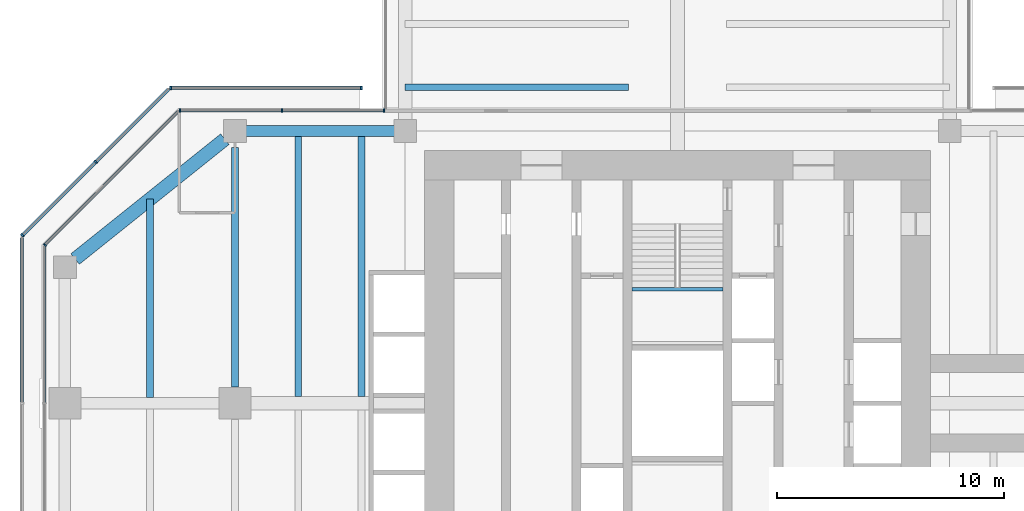
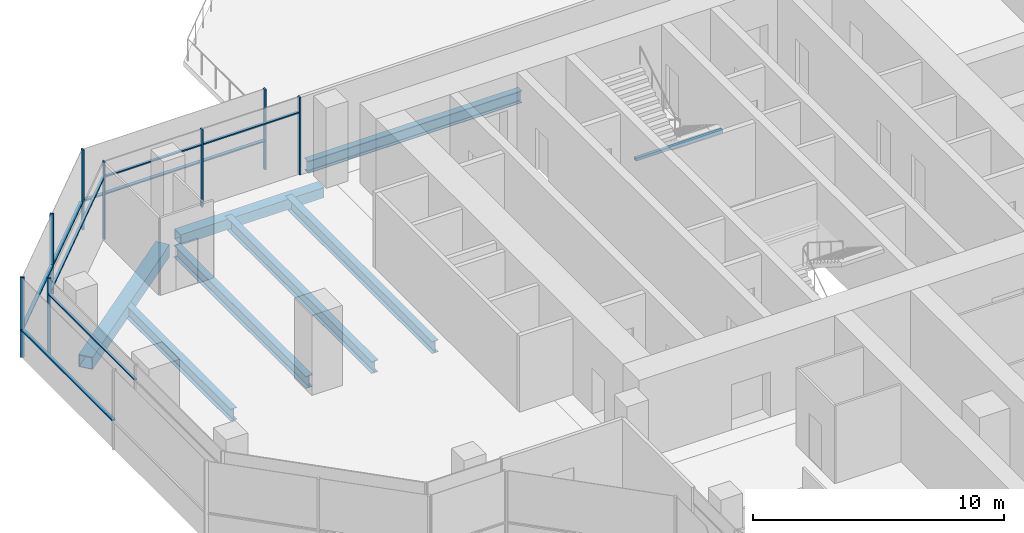
# One storey, part 6 of 15: 16 members, 8 beams, 6 elements without a shape of their own.
"""IFC4 building model written with IfcOpenShell, lengths in metres."""

from ifc_helpers import new_model, si_unit, direction, frame, origin, origin_2d, place, context, subcontext, project, spatial, rectangle, hollow_rectangle, i_section, extrude, material, material_profile, profile_set, type_object, element, aggregate, save


model = new_model("IFC4")

# Units and contexts
model_context = context("Model", 3, precision=1e-05, world=origin(), true_north=direction((0.0, 1.0)))
body_context = subcontext(model_context, "Body", "Model", "MODEL_VIEW")
ifc_project = project(units=[si_unit("LENGTHUNIT", "METRE"), si_unit("AREAUNIT", "SQUARE_METRE"), si_unit("VOLUMEUNIT", "CUBIC_METRE"), si_unit("PLANEANGLEUNIT", "RADIAN"), si_unit("MASSUNIT", "GRAM", prefix="KILO")], contexts=[model_context])

# Site, building, storey
site_placement = place(None, origin())
site = spatial("IfcSite", under=ifc_project, at=site_placement, CompositionType="ELEMENT")
building_placement = place(site_placement, origin())
building = spatial("IfcBuilding", under=site, at=building_placement, Name="Mizan Broadcast Tower", CompositionType="ELEMENT")
storey_placement = place(building_placement, frame((0.0, 0.0, 267.300048828125)))
storey = spatial("IfcBuildingStorey", under=building, at=storey_placement, Name="L63", CompositionType="ELEMENT", Elevation=267.300048828125)

# Beams
ifc_material_1 = material(Name="Steel S355", Category="steel")
ifc_material_profile_1 = material_profile(ifc_material_1, hollow_rectangle(XDim=0.5, YDim=0.5, WallThickness=0.030029296875, at=origin_2d()), Name="BOX 500x500x30")
ifc_profile_set_1 = profile_set([ifc_material_profile_1], Name="Steel S355")
beam_type_1 = type_object("IfcBeamType", Name="EDGE BEAM BOX 500x500x30", PredefinedType="SPANDREL", material=ifc_profile_set_1)
beam_1_placement = place(storey_placement, frame((-12.449951171875, 12.0, -0.380126953125), z_axis=(-1.0, 0.0, 0.0), x_axis=(0.0, -1.0, 0.0)))
element("IfcBeam", 1, at=beam_1_placement, inside=storey, type_object=beam_type_1, Name="Edge beam BOX 500x500x30 L63 west arm", PredefinedType="SPANDREL", context=body_context, shape_type="SweptSolid", body=[
    extrude(hollow_rectangle(XDim=0.5, YDim=0.5, WallThickness=0.030029296875, at=origin_2d()), origin(), (0.0, 0.0, 1.0), 6.60009765625),
])
ifc_material_2 = material(Name="Steel S355", Category="steel")
ifc_material_profile_2 = material_profile(ifc_material_2, hollow_rectangle(XDim=0.60009765625, YDim=0.60009765625, WallThickness=0.030029296875, at=origin_2d()), Name="BOX 600x600x30")
ifc_profile_set_2 = profile_set([ifc_material_profile_2], Name="Steel S355")
beam_type_2 = type_object("IfcBeamType", Name="EDGE BEAM BOX 600x600x30", PredefinedType="SPANDREL", material=ifc_profile_set_2)
beam_2_placement = place(storey_placement, frame((-19.949951171875, 11.639892578125, -0.429931640625), z_axis=(-0.780885717636, -0.624673911726, 0.0), x_axis=(0.624673911726, -0.780885717636, 0.0)))
element("IfcBeam", 2, at=beam_2_placement, inside=storey, type_object=beam_type_2, Name="Edge beam BOX 600x600x30 L63 west arm", PredefinedType="SPANDREL", context=body_context, shape_type="SweptSolid", body=[
    extrude(hollow_rectangle(XDim=0.60009765625, YDim=0.60009765625, WallThickness=0.030029296875, at=origin_2d()), origin(), (0.0, 0.0, 1.0), 8.4521484375),
])
ifc_material_3 = material(Name="Steel S355", Category="steel")
ifc_material_profile_3 = material_profile(ifc_material_3, i_section(OverallWidth=0.300048828125, OverallDepth=0.590087890625, WebThickness=0.012939453125, FlangeThickness=0.02490234375, FilletRadius=0.027099609375, at=origin_2d()), Name="HEA 600")
ifc_profile_set_3 = profile_set([ifc_material_profile_3], Name="Steel S355")
beam_type_3 = type_object("IfcBeamType", Name="GIRDER HEA 600", PredefinedType="BEAM", material=ifc_profile_set_3)
beam_3_placement = place(storey_placement, frame((-19.5, 11.280029296875, -0.425048828125), z_axis=(0.0, -1.0, 0.0), x_axis=(1.0, 0.0, 0.0)))
element("IfcBeam", 3, at=beam_3_placement, inside=storey, type_object=beam_type_3, Name="Girder HEA 600 L63 west arm", PredefinedType="BEAM", context=body_context, shape_type="SweptSolid", body=[
    extrude(i_section(OverallWidth=0.300048828125, OverallDepth=0.590087890625, WebThickness=0.012939453125, FlangeThickness=0.02490234375, FilletRadius=0.027099609375, at=origin_2d()), origin(), (0.0, 0.0, 1.0), 10.56005859375),
])

# Curtain wall, members
ifc_material_4 = material(Name="Aluminium framed glazing", Category="aluminium")
curtain_wall_type_1 = type_object("IfcCurtainWallType", Name="INNER SKIN TOP ZONE", PredefinedType="USERDEFINED", material=ifc_material_4)
curtain_wall_1_placement = place(storey_placement, origin())
curtain_wall_1 = element("IfcCurtainWall", 4, at=curtain_wall_1_placement, inside=storey, type_object=curtain_wall_type_1, Name="Inner skin top zone L63 N end", ObjectType="INNER SKIN TOP ZONE", PredefinedType="USERDEFINED")
ifc_material_5 = material(Name="Aluminium, pale anodised", Category="aluminium")
ifc_material_profile_4 = material_profile(ifc_material_5, rectangle(XDim=0.159912109375, YDim=0.06005859375, at=origin_2d()), Name="MULLION 160x60")
ifc_profile_set_4 = profile_set([ifc_material_profile_4], Name="Aluminium, pale anodised")
member_type_1 = type_object("IfcMemberType", Name="INNER SKIN MULLION 60x160", PredefinedType="MULLION", material=ifc_profile_set_4)
member_1_placement = place(storey_placement, frame((-12.929931640625, 12.89990234375, 0.0), z_axis=(0.0, 0.0, 1.0), x_axis=(0.0, -1.0, 0.0)))
member_1 = element("IfcMember", 5, at=member_1_placement, type_object=member_type_1, Name="Inner skin top zone L63 N end mullion 1", PredefinedType="MULLION", context=body_context, shape_type="SweptSolid", body=[
    extrude(rectangle(XDim=0.159912109375, YDim=0.06005859375, at=origin_2d()), origin(), (0.0, 0.0, 1.0), 3.77001953125),
])
member_2_placement = place(storey_placement, frame((-17.42919921875, 12.89990234375, 0.0), z_axis=(0.0, 0.0, 1.0), x_axis=(0.0, -1.0, 0.0)))
member_2 = element("IfcMember", 6, at=member_2_placement, type_object=member_type_1, Name="Inner skin top zone L63 N end mullion 2", PredefinedType="MULLION", context=body_context, shape_type="SweptSolid", body=[
    extrude(rectangle(XDim=0.159912109375, YDim=0.06005859375, at=origin_2d()), origin(), (0.0, 0.0, 1.0), 3.77001953125),
])
member_3_placement = place(storey_placement, frame((-21.928466796875, 12.89990234375, 0.0), z_axis=(0.0, 0.0, 1.0), x_axis=(0.0, -1.0, 0.0)))
member_3 = element("IfcMember", 7, at=member_3_placement, type_object=member_type_1, Name="Inner skin top zone L63 N end mullion 3", PredefinedType="MULLION", context=body_context, shape_type="SweptSolid", body=[
    extrude(rectangle(XDim=0.159912109375, YDim=0.06005859375, at=origin_2d()), origin(), (0.0, 0.0, 1.0), 3.77001953125),
])

# Curtain wall, member
curtain_wall_2_placement = place(storey_placement, origin())
curtain_wall_2 = element("IfcCurtainWall", 8, at=curtain_wall_2_placement, inside=storey, type_object=curtain_wall_type_1, Name="Inner skin top zone L63 W chamfer", ObjectType="INNER SKIN TOP ZONE", PredefinedType="USERDEFINED")
member_4_placement = place(storey_placement, frame((-27.87890625, 6.979736328125, 0.0), z_axis=(0.0, 0.0, 1.0), x_axis=(0.707106781187, -0.707106781187, 0.0)))
member_4 = element("IfcMember", 9, at=member_4_placement, type_object=member_type_1, Name="Inner skin top zone L63 W chamfer mullion 2", PredefinedType="MULLION", context=body_context, shape_type="SweptSolid", body=[
    extrude(rectangle(XDim=0.159912109375, YDim=0.06005859375, at=origin_2d()), origin(), (0.0, 0.0, 1.0), 3.77001953125),
])

# Member
ifc_material_6 = material(Name="Aluminium, pale anodised", Category="aluminium")
ifc_material_profile_5 = material_profile(ifc_material_6, rectangle(XDim=0.1201171875, YDim=0.06005859375, at=origin_2d()), Name="TRANSOM 120x60")
ifc_profile_set_5 = profile_set([ifc_material_profile_5], Name="Aluminium, pale anodised")
member_type_2 = type_object("IfcMemberType", Name="INNER SKIN TRANSOM 60x120", PredefinedType="USERDEFINED", material=ifc_profile_set_5)
member_5_placement = place(storey_placement, frame((-12.9599609375, 12.89990234375, 3.030029296875), z_axis=(-1.0, 0.0, 0.0), x_axis=(0.0, -1.0, 0.0)))
member_5 = element("IfcMember", 10, at=member_5_placement, type_object=member_type_2, Name="Inner skin top zone L63 N end transom 1.1", ObjectType="TRANSOM", PredefinedType="USERDEFINED", context=body_context, shape_type="SweptSolid", body=[
    extrude(rectangle(XDim=0.1201171875, YDim=0.06005859375, at=origin_2d()), origin(), (0.0, 0.0, 1.0), 4.439208984375),
])

member_6_placement = place(storey_placement, frame((-17.459228515625, 12.89990234375, 3.030029296875), z_axis=(-1.0, 0.0, 0.0), x_axis=(0.0, -1.0, 0.0)))
member_6 = element("IfcMember", 11, at=member_6_placement, type_object=member_type_2, Name="Inner skin top zone L63 N end transom 2.1", ObjectType="TRANSOM", PredefinedType="USERDEFINED", context=body_context, shape_type="SweptSolid", body=[
    extrude(rectangle(XDim=0.1201171875, YDim=0.06005859375, at=origin_2d()), origin(), (0.0, 0.0, 1.0), 4.439453125),
])

aggregate(curtain_wall_1, [member_1, member_2, member_3, member_5, member_6])

member_7_placement = place(storey_placement, frame((-22.0009765625, 12.857666015625, 3.030029296875), z_axis=(-0.707106781187, -0.707106781187, 0.0), x_axis=(0.707106781187, -0.707106781187, 0.0)))
member_7 = element("IfcMember", 12, at=member_7_placement, type_object=member_type_2, Name="Inner skin top zone L63 W chamfer transom 1.1", ObjectType="TRANSOM", PredefinedType="USERDEFINED", context=body_context, shape_type="SweptSolid", body=[
    extrude(rectangle(XDim=0.1201171875, YDim=0.06005859375, at=origin_2d()), origin(), (0.0, 0.0, 1.0), 8.28271484375),
])

aggregate(curtain_wall_2, [member_4, member_7])

# Curtain wall, member
curtain_wall_3_placement = place(storey_placement, origin())
curtain_wall_3 = element("IfcCurtainWall", 13, at=curtain_wall_3_placement, inside=storey, type_object=curtain_wall_type_1, Name="Inner skin top zone L63 W end", ObjectType="INNER SKIN TOP ZONE", PredefinedType="USERDEFINED")
member_8_placement = place(storey_placement, frame((-27.89990234375, 6.898681640625, 3.030029296875), z_axis=(0.0, -1.0, 0.0), x_axis=(1.0, 0.0, 0.0)))
member_8 = element("IfcMember", 14, at=member_8_placement, type_object=member_type_2, Name="Inner skin top zone L63 W end transom 1.1", ObjectType="TRANSOM", PredefinedType="USERDEFINED", context=body_context, shape_type="SweptSolid", body=[
    extrude(rectangle(XDim=0.1201171875, YDim=0.06005859375, at=origin_2d()), origin(), (0.0, 0.0, 1.0), 6.86865234375),
])
aggregate(curtain_wall_3, [member_8])

# Beam
ifc_material_7 = material(Name="Steel S355", Category="steel")
ifc_material_profile_6 = material_profile(ifc_material_7, hollow_rectangle(XDim=0.14990234375, YDim=0.14990234375, WallThickness=0.008056640625, InnerFilletRadius=0.008056640625, OuterFilletRadius=0.011962890625, at=origin_2d()), Name="SHS 150x150x8")
ifc_profile_set_6 = profile_set([ifc_material_profile_6], Name="Steel S355")
beam_type_4 = type_object("IfcBeamType", Name="LANDING TRIMMER SHS 150x150x8", PredefinedType="BEAM", material=ifc_profile_set_6)
beam_4_placement = place(storey_placement, frame((2.0, 5.02490234375, 1.675048828125), z_axis=(-1.0, 0.0, 0.0), x_axis=(0.0, -1.0, 0.0)))
element("IfcBeam", 15, at=beam_4_placement, inside=storey, type_object=beam_type_4, Name="Stair B landing trimmer L63", PredefinedType="BEAM", context=body_context, shape_type="SweptSolid", body=[
    extrude(hollow_rectangle(XDim=0.14990234375, YDim=0.14990234375, WallThickness=0.008056640625, InnerFilletRadius=0.008056640625, OuterFilletRadius=0.011962890625, at=origin_2d()), origin(), (0.0, 0.0, 1.0), 4.0),
])

# Curtain wall, members
ifc_material_8 = material(Name="Aluminium framed glazing", Category="aluminium")
curtain_wall_type_2 = type_object("IfcCurtainWallType", Name="OUTER SKIN", PredefinedType="USERDEFINED", material=ifc_material_8)
curtain_wall_4_placement = place(storey_placement, origin())
curtain_wall_4 = element("IfcCurtainWall", 16, at=curtain_wall_4_placement, inside=storey, type_object=curtain_wall_type_2, Name="Outer skin L63 N face", ObjectType="OUTER SKIN", PredefinedType="USERDEFINED")
ifc_material_9 = material(Name="Aluminium, pale anodised", Category="aluminium")
ifc_material_profile_7 = material_profile(ifc_material_9, rectangle(XDim=0.159912109375, YDim=0.080078125, at=origin_2d()), Name="MULLION 160x80")
ifc_profile_set_7 = profile_set([ifc_material_profile_7], Name="Aluminium, pale anodised")
member_type_3 = type_object("IfcMemberType", Name="OUTER SKIN MULLION 80x160", PredefinedType="MULLION", material=ifc_profile_set_7)
member_9_placement = place(storey_placement, frame((-13.93994140625, 13.89990234375, 0.0), z_axis=(0.0, 0.0, 1.0), x_axis=(0.0, -1.0, 0.0)))
member_9 = element("IfcMember", 17, at=member_9_placement, type_object=member_type_3, Name="Outer skin L63 N face mullion 1", PredefinedType="MULLION", context=body_context, shape_type="SweptSolid", body=[
    extrude(rectangle(XDim=0.159912109375, YDim=0.080078125, at=origin_2d()), origin(), (0.0, 0.0, 1.0), 3.89990234375),
])
member_10_placement = place(storey_placement, frame((-22.332763671875, 13.89990234375, 0.0), z_axis=(0.0, 0.0, 1.0), x_axis=(0.0, -1.0, 0.0)))
member_10 = element("IfcMember", 18, at=member_10_placement, type_object=member_type_3, Name="Outer skin L63 N face mullion 2", PredefinedType="MULLION", context=body_context, shape_type="SweptSolid", body=[
    extrude(rectangle(XDim=0.159912109375, YDim=0.080078125, at=origin_2d()), origin(), (0.0, 0.0, 1.0), 3.89990234375),
])

curtain_wall_5_placement = place(storey_placement, origin())
curtain_wall_5 = element("IfcCurtainWall", 19, at=curtain_wall_5_placement, inside=storey, type_object=curtain_wall_type_2, Name="Outer skin L63 W chamfer", ObjectType="OUTER SKIN", PredefinedType="USERDEFINED")
member_11_placement = place(storey_placement, frame((-25.636474609375, 10.636474609375, 0.0), z_axis=(0.0, 0.0, 1.0), x_axis=(0.707106781187, -0.707106781187, 0.0)))
member_11 = element("IfcMember", 20, at=member_11_placement, type_object=member_type_3, Name="Outer skin L63 W chamfer mullion 2", PredefinedType="MULLION", context=body_context, shape_type="SweptSolid", body=[
    extrude(rectangle(XDim=0.159912109375, YDim=0.080078125, at=origin_2d()), origin(), (0.0, 0.0, 1.0), 3.89990234375),
])
member_12_placement = place(storey_placement, frame((-28.871826171875, 7.401123046875, 0.0), z_axis=(0.0, 0.0, 1.0), x_axis=(0.707106781187, -0.707106781187, 0.0)))
member_12 = element("IfcMember", 21, at=member_12_placement, type_object=member_type_3, Name="Outer skin L63 W chamfer mullion 3", PredefinedType="MULLION", context=body_context, shape_type="SweptSolid", body=[
    extrude(rectangle(XDim=0.159912109375, YDim=0.080078125, at=origin_2d()), origin(), (0.0, 0.0, 1.0), 3.89990234375),
])

# Member
ifc_material_10 = material(Name="Aluminium, pale anodised", Category="aluminium")
ifc_material_profile_8 = material_profile(ifc_material_10, rectangle(XDim=0.159912109375, YDim=0.06005859375, at=origin_2d()), Name="TRANSOM 160x60")
ifc_profile_set_8 = profile_set([ifc_material_profile_8], Name="Aluminium, pale anodised")
member_type_4 = type_object("IfcMemberType", Name="OUTER SKIN TRANSOM 60x160", PredefinedType="USERDEFINED", material=ifc_profile_set_8)
member_13_placement = place(storey_placement, frame((-13.97998046875, 13.89990234375, 1.39990234375), z_axis=(-1.0, 0.0, 0.0), x_axis=(0.0, -1.0, 0.0)))
member_13 = element("IfcMember", 22, at=member_13_placement, type_object=member_type_4, Name="Outer skin L63 N face transom 1.1", ObjectType="TRANSOM", PredefinedType="USERDEFINED", context=body_context, shape_type="SweptSolid", body=[
    extrude(rectangle(XDim=0.159912109375, YDim=0.06005859375, at=origin_2d()), origin(), (0.0, 0.0, 1.0), 8.312744140625),
])

aggregate(curtain_wall_4, [member_9, member_10, member_13])

member_14_placement = place(storey_placement, frame((-22.429443359375, 13.843505859375, 1.39990234375), z_axis=(-0.707106781187, -0.707106781187, 0.0), x_axis=(0.707106781187, -0.707106781187, 0.0)))
member_14 = element("IfcMember", 23, at=member_14_placement, type_object=member_type_4, Name="Outer skin L63 W chamfer transom 1.1", ObjectType="TRANSOM", PredefinedType="USERDEFINED", context=body_context, shape_type="SweptSolid", body=[
    extrude(rectangle(XDim=0.159912109375, YDim=0.06005859375, at=origin_2d()), origin(), (0.0, 0.0, 1.0), 4.495361328125),
])

member_15_placement = place(storey_placement, frame((-25.664794921875, 10.608154296875, 1.39990234375), z_axis=(-0.707106781187, -0.707106781187, 0.0), x_axis=(0.707106781187, -0.707106781187, 0.0)))
member_15 = element("IfcMember", 24, at=member_15_placement, type_object=member_type_4, Name="Outer skin L63 W chamfer transom 2.1", ObjectType="TRANSOM", PredefinedType="USERDEFINED", context=body_context, shape_type="SweptSolid", body=[
    extrude(rectangle(XDim=0.159912109375, YDim=0.06005859375, at=origin_2d()), origin(), (0.0, 0.0, 1.0), 4.495361328125),
])

aggregate(curtain_wall_5, [member_11, member_12, member_14, member_15])

# Curtain wall, member
curtain_wall_6_placement = place(storey_placement, origin())
curtain_wall_6 = element("IfcCurtainWall", 25, at=curtain_wall_6_placement, inside=storey, type_object=curtain_wall_type_2, Name="Outer skin L63 W end", ObjectType="OUTER SKIN", PredefinedType="USERDEFINED")
member_16_placement = place(storey_placement, frame((-28.89990234375, 7.292724609375, 1.39990234375), z_axis=(0.0, -1.0, 0.0), x_axis=(1.0, 0.0, 0.0)))
member_16 = element("IfcMember", 26, at=member_16_placement, type_object=member_type_4, Name="Outer skin L63 W end transom 1.1", ObjectType="TRANSOM", PredefinedType="USERDEFINED", context=body_context, shape_type="SweptSolid", body=[
    extrude(rectangle(XDim=0.159912109375, YDim=0.06005859375, at=origin_2d()), origin(), (0.0, 0.0, 1.0), 7.252685546875),
])
aggregate(curtain_wall_6, [member_16])

# Beams
ifc_material_11 = material(Name="Steel S355", Category="steel")
ifc_material_profile_9 = material_profile(ifc_material_11, i_section(OverallWidth=0.300048828125, OverallDepth=0.590087890625, WebThickness=0.012939453125, FlangeThickness=0.02490234375, FilletRadius=0.027099609375, at=origin_2d()), Name="HEA 600")
ifc_profile_set_9 = profile_set([ifc_material_profile_9], Name="Steel S355")
beam_type_5 = type_object("IfcBeamType", Name="SECONDARY BEAM HEA 600", PredefinedType="JOIST", material=ifc_profile_set_9)
beam_5_placement = place(storey_placement, frame((-12.0, 13.933349609375, -0.545166015625), z_axis=(1.0, 0.0, 0.0), x_axis=(0.0, 1.0, 0.0)))
element("IfcBeam", 27, at=beam_5_placement, inside=storey, type_object=beam_type_5, Name="Secondary beam HEA 600 L63 north arm", PredefinedType="JOIST", context=body_context, shape_type="SweptSolid", body=[
    extrude(i_section(OverallWidth=0.300048828125, OverallDepth=0.590087890625, WebThickness=0.012939453125, FlangeThickness=0.02490234375, FilletRadius=0.027099609375, at=origin_2d()), origin(), (0.0, 0.0, 1.0), 9.85009765625),
])
for number, where, z_axis, x_axis, name in (
    (28, (-13.933349609375, 12.0, -0.425048828125), (0.0, -1.0, 0.0), (1.0, 0.0, 0.0), "Secondary beam HEA 600 L63 west arm"),
    (29, (-16.716552734375, 12.0, -0.425048828125), (0.0, -1.0, 0.0), (1.0, 0.0, 0.0), "Secondary beam HEA 600 L63 west arm"),
):
    element("IfcBeam", number, at=place(storey_placement, frame(where, z_axis=z_axis, x_axis=x_axis)), inside=storey, type_object=beam_type_5, Name=name, PredefinedType="JOIST", context=body_context, shape_type="SweptSolid", body=[
        extrude(i_section(OverallWidth=0.300048828125, OverallDepth=0.590087890625, WebThickness=0.012939453125, FlangeThickness=0.02490234375, FilletRadius=0.027099609375, at=origin_2d()), origin(), (0.0, 0.0, 1.0), 11.699951171875),
    ])
beam_6_placement = place(storey_placement, frame((-23.25, 9.0, -0.425048828125), z_axis=(0.0, -1.0, 0.0), x_axis=(1.0, 0.0, 0.0)))
element("IfcBeam", 30, at=beam_6_placement, inside=storey, type_object=beam_type_5, Name="Secondary beam HEA 600 L63 west arm", PredefinedType="JOIST", context=body_context, shape_type="SweptSolid", body=[
    extrude(i_section(OverallWidth=0.300048828125, OverallDepth=0.590087890625, WebThickness=0.012939453125, FlangeThickness=0.02490234375, FilletRadius=0.027099609375, at=origin_2d()), origin(), (0.0, 0.0, 1.0), 8.75),
])

save(model, "model.ifc")
